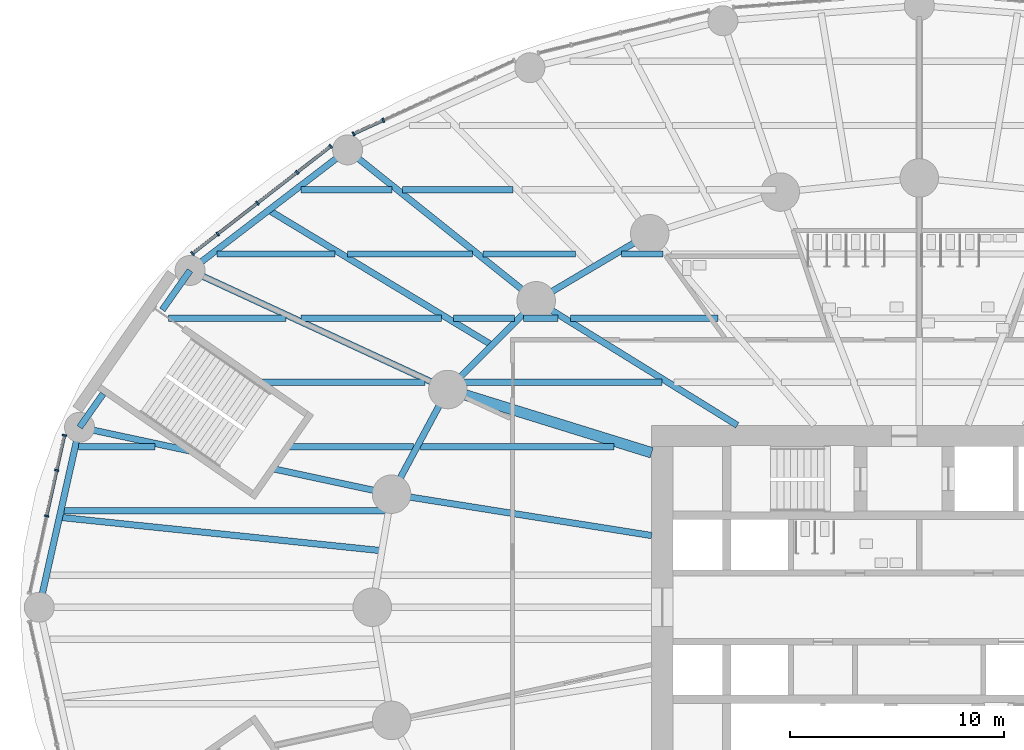
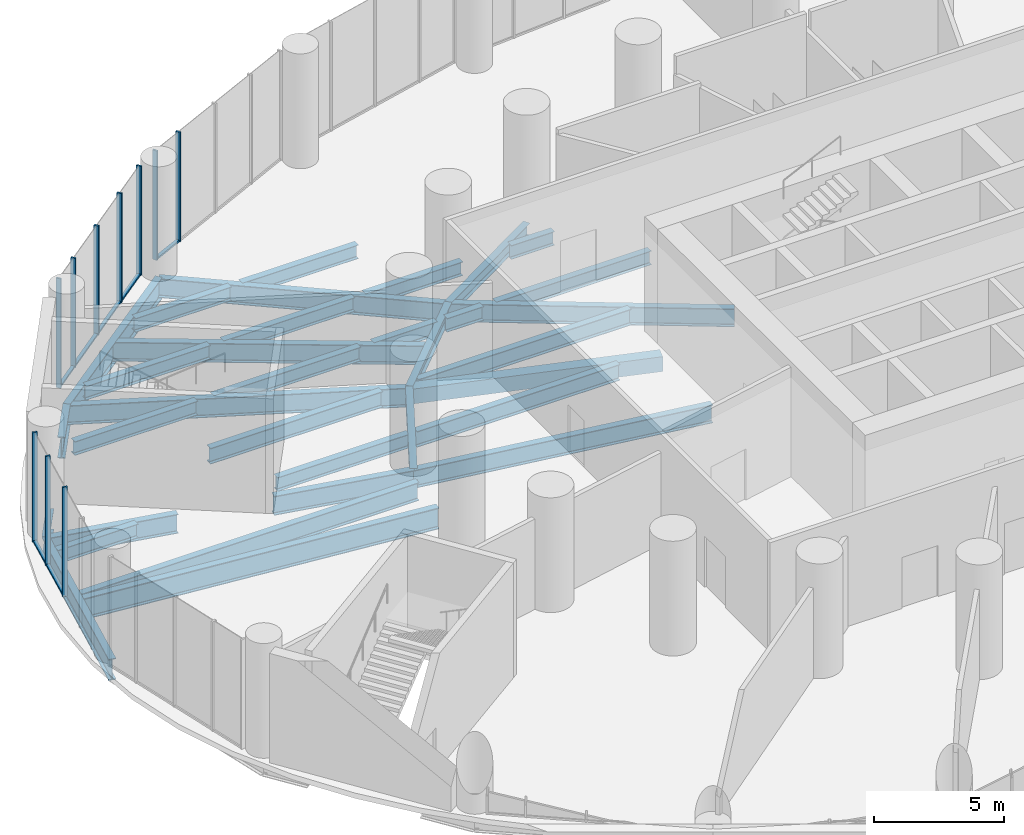
# One storey, part 7 of 21: 33 beams, 17 members, 3 elements without a shape of their own.
"""IFC4 building model written with IfcOpenShell, lengths in metres."""

from ifc_helpers import new_model, si_unit, direction, frame, origin, origin_2d, place, context, subcontext, project, spatial, rectangle, hollow_rectangle, i_section, extrude, material, material_profile, profile_set, type_object, element, aggregate, save


model = new_model("IFC4")

# Units and contexts
model_context = context("Model", 3, precision=1e-05, world=origin(), true_north=direction((0.0, 1.0)))
body_context = subcontext(model_context, "Body", "Model", "MODEL_VIEW")
ifc_project = project(units=[si_unit("LENGTHUNIT", "METRE"), si_unit("AREAUNIT", "SQUARE_METRE"), si_unit("VOLUMEUNIT", "CUBIC_METRE"), si_unit("PLANEANGLEUNIT", "RADIAN"), si_unit("MASSUNIT", "GRAM", prefix="KILO")], contexts=[model_context])

# Site, building, storey
site_placement = place(None, origin())
site = spatial("IfcSite", under=ifc_project, at=site_placement, CompositionType="ELEMENT")
building_placement = place(site_placement, origin())
building = spatial("IfcBuilding", under=site, at=building_placement, Name="Hankou Lantern Tower", CompositionType="ELEMENT")
storey_placement = place(building_placement, frame((0.0, 0.0, 13.800048828125)))
storey = spatial("IfcBuildingStorey", under=building, at=storey_placement, Name="L02", CompositionType="ELEMENT", Elevation=13.800048828125)

# Beams
ifc_material_1 = material(Name="Steel Q355B", Category="steel")
ifc_material_profile_1 = material_profile(ifc_material_1, i_section(OverallWidth=0.300048828125, OverallDepth=0.587890625, WebThickness=0.011962890625, FlangeThickness=0.02001953125, FilletRadius=0.01806640625, at=origin_2d()), Name="HM588x300x12x20")
ifc_profile_set_1 = profile_set([ifc_material_profile_1], Name="Steel Q355B")
beam_type_1 = type_object("IfcBeamType", Name="EB16 RING BEAM HM588x300x12x20", PredefinedType="SPANDREL", material=ifc_profile_set_1)
beam_1_placement = place(storey_placement, frame((-12.5908203125, 17.446533203125, -0.5439453125), z_axis=(-0.860881533543, -0.508805449268, 0.0), x_axis=(0.508805449268, -0.860881533543, 0.0)))
element("IfcBeam", 1, at=beam_1_placement, inside=storey, type_object=beam_type_1, Name="Ring beam R09-R10 L02", PredefinedType="SPANDREL", context=body_context, shape_type="SweptSolid", body=[
    extrude(i_section(OverallWidth=0.300048828125, OverallDepth=0.587890625, WebThickness=0.011962890625, FlangeThickness=0.02001953125, FilletRadius=0.01806640625, at=origin_2d()), origin(), (0.0, 0.0, 1.0), 6.15771484375),
])
beam_2_placement = place(storey_placement, frame((-17.891845703125, 14.3134765625, -0.5439453125), z_axis=(-0.705727798394, -0.708483079949, 0.0), x_axis=(0.708483079949, -0.705727798394, 0.0)))
element("IfcBeam", 2, at=beam_2_placement, inside=storey, type_object=beam_type_1, Name="Ring beam R10-R11 L02", PredefinedType="SPANDREL", context=body_context, shape_type="SweptSolid", body=[
    extrude(i_section(OverallWidth=0.300048828125, OverallDepth=0.587890625, WebThickness=0.011962890625, FlangeThickness=0.02001953125, FilletRadius=0.01806640625, at=origin_2d()), origin(), (0.0, 0.0, 1.0), 5.84814453125),
])
beam_3_placement = place(storey_placement, frame((-22.01904296875, 10.170166015625, -0.5439453125), z_axis=(-0.473609096023, -0.880735161194, 0.0), x_axis=(0.880735161194, -0.473609096023, 0.0)))
element("IfcBeam", 3, at=beam_3_placement, inside=storey, type_object=beam_type_1, Name="Ring beam R11-R12 L02", PredefinedType="SPANDREL", context=body_context, shape_type="SweptSolid", body=[
    extrude(i_section(OverallWidth=0.300048828125, OverallDepth=0.587890625, WebThickness=0.011962890625, FlangeThickness=0.02001953125, FilletRadius=0.01806640625, at=origin_2d()), origin(), (0.0, 0.0, 1.0), 5.548828125),
])

# Curtain wall, members
ifc_material_2 = material(Name="Glass, dark grey tinted laminated", Category="glass")
curtain_wall_type = type_object("IfcCurtainWallType", Name="CWP PODIUM CURTAIN WALL", PredefinedType="USERDEFINED", material=ifc_material_2)
curtain_wall_1_placement = place(storey_placement, origin())
curtain_wall_1 = element("IfcCurtainWall", 4, at=curtain_wall_1_placement, inside=storey, type_object=curtain_wall_type, Name="CWP L02 PC07", ObjectType="PODIUM GLAZING", PredefinedType="USERDEFINED")
ifc_material_3 = material(Name="Aluminium, black anodised", Category="aluminium")
ifc_material_profile_2 = material_profile(ifc_material_3, rectangle(XDim=0.080078125, YDim=0.199951171875, at=origin_2d()), Name="MU2 80X200")
ifc_profile_set_2 = profile_set([ifc_material_profile_2], Name="Aluminium, black anodised")
member_type_1 = type_object("IfcMemberType", Name="MU2 PODIUM MULLION 80X200", PredefinedType="MULLION", material=ifc_profile_set_2)
member_1_placement = place(storey_placement, frame((-25.034423828125, 22.743408203125, 0.0), z_axis=(0.0, 0.0, 1.0), x_axis=(-0.909669790944, -0.41533224224, 0.0)))
member_1 = element("IfcMember", 5, at=member_1_placement, type_object=member_type_1, Name="CWP mullion 4", PredefinedType="MULLION", context=body_context, shape_type="SweptSolid", body=[
    extrude(rectangle(XDim=0.080078125, YDim=0.199951171875, at=origin_2d()), origin(), (0.0, 0.0, 1.0), 5.14990234375),
])
member_2_placement = place(storey_placement, frame((-26.421630859375, 22.10986328125, 0.0), z_axis=(0.0, 0.0, 1.0), x_axis=(-0.909669790944, -0.41533224224, 0.0)))
member_2 = element("IfcMember", 6, at=member_2_placement, type_object=member_type_1, Name="CWP mullion 5", PredefinedType="MULLION", context=body_context, shape_type="SweptSolid", body=[
    extrude(rectangle(XDim=0.080078125, YDim=0.199951171875, at=origin_2d()), origin(), (0.0, 0.0, 1.0), 5.14990234375),
])

curtain_wall_2_placement = place(storey_placement, origin())
curtain_wall_2 = element("IfcCurtainWall", 7, at=curtain_wall_2_placement, inside=storey, type_object=curtain_wall_type, Name="CWP L02 PC08", ObjectType="PODIUM GLAZING", PredefinedType="USERDEFINED")
member_3_placement = place(storey_placement, frame((-27.487060546875, 21.530517578125, 0.0), z_axis=(0.0, 0.0, 1.0), x_axis=(-0.790129760642, -0.612939606608, 0.0)))
member_3 = element("IfcMember", 8, at=member_3_placement, type_object=member_type_1, Name="CWP mullion 1", PredefinedType="MULLION", context=body_context, shape_type="SweptSolid", body=[
    extrude(rectangle(XDim=0.080078125, YDim=0.199951171875, at=origin_2d()), origin(), (0.0, 0.0, 1.0), 5.14990234375),
])
member_4_placement = place(storey_placement, frame((-29.05322265625, 20.315673828125, 0.0), z_axis=(0.0, 0.0, 1.0), x_axis=(-0.790129760642, -0.612939606608, 0.0)))
member_4 = element("IfcMember", 9, at=member_4_placement, type_object=member_type_1, Name="CWP mullion 2", PredefinedType="MULLION", context=body_context, shape_type="SweptSolid", body=[
    extrude(rectangle(XDim=0.080078125, YDim=0.199951171875, at=origin_2d()), origin(), (0.0, 0.0, 1.0), 5.14990234375),
])
member_5_placement = place(storey_placement, frame((-30.91064453125, 18.874755859375, 0.0), z_axis=(0.0, 0.0, 1.0), x_axis=(-0.790129760642, -0.612939606608, 0.0)))
member_5 = element("IfcMember", 10, at=member_5_placement, type_object=member_type_1, Name="CWP mullion 3", PredefinedType="MULLION", context=body_context, shape_type="SweptSolid", body=[
    extrude(rectangle(XDim=0.080078125, YDim=0.199951171875, at=origin_2d()), origin(), (0.0, 0.0, 1.0), 5.14990234375),
])
member_6_placement = place(storey_placement, frame((-32.76806640625, 17.433837890625, 0.0), z_axis=(0.0, 0.0, 1.0), x_axis=(-0.790129760642, -0.612939606608, 0.0)))
member_6 = element("IfcMember", 11, at=member_6_placement, type_object=member_type_1, Name="CWP mullion 4", PredefinedType="MULLION", context=body_context, shape_type="SweptSolid", body=[
    extrude(rectangle(XDim=0.080078125, YDim=0.199951171875, at=origin_2d()), origin(), (0.0, 0.0, 1.0), 5.14990234375),
])
member_7_placement = place(storey_placement, frame((-33.945068359375, 16.520751953125, 0.0), z_axis=(0.0, 0.0, 1.0), x_axis=(-0.790129760642, -0.612939606608, 0.0)))
member_7 = element("IfcMember", 12, at=member_7_placement, type_object=member_type_1, Name="CWP mullion 5", PredefinedType="MULLION", context=body_context, shape_type="SweptSolid", body=[
    extrude(rectangle(XDim=0.080078125, YDim=0.199951171875, at=origin_2d()), origin(), (0.0, 0.0, 1.0), 5.14990234375),
])

curtain_wall_3_placement = place(storey_placement, origin())
curtain_wall_3 = element("IfcCurtainWall", 13, at=curtain_wall_3_placement, inside=storey, type_object=curtain_wall_type, Name="CWP L02 PC09", ObjectType="PODIUM GLAZING", PredefinedType="USERDEFINED")
member_8_placement = place(storey_placement, frame((-39.925537109375, 8.028564453125, 0.0), z_axis=(0.0, 0.0, 1.0), x_axis=(-0.215821488116, -0.976432837049, 0.0)))
member_8 = element("IfcMember", 14, at=member_8_placement, type_object=member_type_1, Name="CWP mullion 1", PredefinedType="MULLION", context=body_context, shape_type="SweptSolid", body=[
    extrude(rectangle(XDim=0.080078125, YDim=0.199951171875, at=origin_2d()), origin(), (0.0, 0.0, 1.0), 5.14990234375),
])
member_9_placement = place(storey_placement, frame((-40.28515625, 6.40087890625, 0.0), z_axis=(0.0, 0.0, 1.0), x_axis=(-0.215821488116, -0.976432837049, 0.0)))
member_9 = element("IfcMember", 15, at=member_9_placement, type_object=member_type_1, Name="CWP mullion 2", PredefinedType="MULLION", context=body_context, shape_type="SweptSolid", body=[
    extrude(rectangle(XDim=0.080078125, YDim=0.199951171875, at=origin_2d()), origin(), (0.0, 0.0, 1.0), 5.14990234375),
])
member_10_placement = place(storey_placement, frame((-40.7568359375, 4.267333984375, 0.0), z_axis=(0.0, 0.0, 1.0), x_axis=(-0.215821488116, -0.976432837049, 0.0)))
member_10 = element("IfcMember", 16, at=member_10_placement, type_object=member_type_1, Name="CWP mullion 3", PredefinedType="MULLION", context=body_context, shape_type="SweptSolid", body=[
    extrude(rectangle(XDim=0.080078125, YDim=0.199951171875, at=origin_2d()), origin(), (0.0, 0.0, 1.0), 5.14990234375),
])

# Beams
ifc_material_4 = material(Name="Steel Q355B", Category="steel")
ifc_material_profile_3 = material_profile(ifc_material_4, i_section(OverallWidth=0.300048828125, OverallDepth=0.89990234375, WebThickness=0.01611328125, FlangeThickness=0.028076171875, FilletRadius=0.01806640625, at=origin_2d()), Name="HN900x300x16x28")
ifc_profile_set_3 = profile_set([ifc_material_profile_3], Name="Steel Q355B")
beam_type_2 = type_object("IfcBeamType", Name="PB13 PODIUM RADIAL BEAM HN900x300x16x28", PredefinedType="BEAM", material=ifc_profile_set_3)
beam_4_placement = place(storey_placement, frame((-17.891845703125, 14.3134765625, -0.699951171875), z_axis=(-0.780875142676, 0.624687130931, 0.0), x_axis=(-0.624687130931, -0.780875142676, 0.0)))
element("IfcBeam", 17, at=beam_4_placement, inside=storey, type_object=beam_type_2, Name="Podium radial beam R10 L02", PredefinedType="BEAM", context=body_context, shape_type="SweptSolid", body=[
    extrude(i_section(OverallWidth=0.300048828125, OverallDepth=0.89990234375, WebThickness=0.01611328125, FlangeThickness=0.028076171875, FilletRadius=0.01806640625, at=origin_2d()), origin(), (0.0, 0.0, 1.0), 11.28271484375),
])
beam_5_placement = place(storey_placement, frame((-22.01904296875, 10.170166015625, -0.699951171875), z_axis=(-0.907840792808, 0.419315030633, 0.0), x_axis=(-0.419315030633, -0.907840792808, 0.0)))
element("IfcBeam", 18, at=beam_5_placement, inside=storey, type_object=beam_type_2, Name="Podium radial beam R11 L02", PredefinedType="BEAM", context=body_context, shape_type="SweptSolid", body=[
    extrude(i_section(OverallWidth=0.300048828125, OverallDepth=0.89990234375, WebThickness=0.01611328125, FlangeThickness=0.028076171875, FilletRadius=0.01806640625, at=origin_2d()), origin(), (0.0, 0.0, 1.0), 13.259765625),
])
beam_6_placement = place(storey_placement, frame((-24.64697265625, 5.283203125, -0.699951171875), z_axis=(-0.977787338777, 0.209599427782, 0.0), x_axis=(-0.209599427782, -0.977787338777, 0.0)))
element("IfcBeam", 19, at=beam_6_placement, inside=storey, type_object=beam_type_2, Name="Podium radial beam R12 L02 inner part", PredefinedType="BEAM", context=body_context, shape_type="SweptSolid", body=[
    extrude(i_section(OverallWidth=0.300048828125, OverallDepth=0.89990234375, WebThickness=0.01611328125, FlangeThickness=0.028076171875, FilletRadius=0.01806640625, at=origin_2d()), origin(), (0.0, 0.0, 1.0), 5.68896484375),
])
beam_7_placement = place(storey_placement, frame((-34.01025390625, 7.29052734375, -0.699951171875), z_axis=(-0.977788323488, 0.209594834028, 0.0), x_axis=(-0.209594834028, -0.977788323488, 0.0)))
element("IfcBeam", 20, at=beam_7_placement, inside=storey, type_object=beam_type_2, Name="Podium radial beam R12 L02 outer part", PredefinedType="BEAM", context=body_context, shape_type="SweptSolid", body=[
    extrude(i_section(OverallWidth=0.300048828125, OverallDepth=0.89990234375, WebThickness=0.01611328125, FlangeThickness=0.028076171875, FilletRadius=0.01806640625, at=origin_2d()), origin(), (0.0, 0.0, 1.0), 5.32568359375),
])
ifc_material_5 = material(Name="Steel Q355B", Category="steel")
ifc_material_profile_4 = material_profile(ifc_material_5, i_section(OverallWidth=0.300048828125, OverallDepth=1.0, WebThickness=0.01904296875, FlangeThickness=0.035888671875, FilletRadius=0.01806640625, at=origin_2d()), Name="HN1000x300x19x36")
ifc_profile_set_4 = profile_set([ifc_material_profile_4], Name="Steel Q355B")
beam_type_3 = type_object("IfcBeamType", Name="PR22 PODIUM RING BEAM HN1000x300x19x36", PredefinedType="BEAM", material=ifc_profile_set_4)
beam_8_placement = place(storey_placement, frame((-26.7021484375, 21.361572265625, -0.75), z_axis=(-0.793985875103, -0.607936205647, 0.0), x_axis=(0.607936205647, -0.793985875103, 0.0)))
element("IfcBeam", 21, at=beam_8_placement, inside=storey, type_object=beam_type_3, Name="Podium ring beam R10-R11 L02", PredefinedType="BEAM", context=body_context, shape_type="SweptSolid", body=[
    extrude(i_section(OverallWidth=0.300048828125, OverallDepth=1.0, WebThickness=0.01904296875, FlangeThickness=0.035888671875, FilletRadius=0.01806640625, at=origin_2d()), origin(), (0.0, 0.0, 1.0), 9.262939453125),
])
beam_9_placement = place(storey_placement, frame((-34.056884765625, 15.730224609375, -0.75), z_axis=(-0.576006222853, -0.817445307794, 0.0), x_axis=(0.817445307794, -0.576006222853, 0.0)))
element("IfcBeam", 22, at=beam_9_placement, inside=storey, type_object=beam_type_3, Name="Podium ring beam R11-R12 L02 west part", PredefinedType="BEAM", context=body_context, shape_type="SweptSolid", body=[
    extrude(i_section(OverallWidth=0.300048828125, OverallDepth=1.0, WebThickness=0.01904296875, FlangeThickness=0.035888671875, FilletRadius=0.01806640625, at=origin_2d()), origin(), (0.0, 0.0, 1.0), 2.251953125),
])
beam_10_placement = place(storey_placement, frame((-38.118896484375, 9.9658203125, -0.75), z_axis=(-0.576019631526, -0.817435859317, 0.0), x_axis=(0.817435859317, -0.576019631526, 0.0)))
element("IfcBeam", 23, at=beam_10_placement, inside=storey, type_object=beam_type_3, Name="Podium ring beam R11-R12 L02 east part", PredefinedType="BEAM", context=body_context, shape_type="SweptSolid", body=[
    extrude(i_section(OverallWidth=0.300048828125, OverallDepth=1.0, WebThickness=0.01904296875, FlangeThickness=0.035888671875, FilletRadius=0.01806640625, at=origin_2d()), origin(), (0.0, 0.0, 1.0), 1.9072265625),
])
beam_11_placement = place(storey_placement, frame((-39.217529296875, 8.40673828125, -0.75), z_axis=(-0.218523498172, -0.975831686689, 0.0), x_axis=(0.975831686689, -0.218523498172, 0.0)))
element("IfcBeam", 24, at=beam_11_placement, inside=storey, type_object=beam_type_3, Name="Podium ring beam R12-R13 L02", PredefinedType="BEAM", context=body_context, shape_type="SweptSolid", body=[
    extrude(i_section(OverallWidth=0.300048828125, OverallDepth=1.0, WebThickness=0.01904296875, FlangeThickness=0.035888671875, FilletRadius=0.01806640625, at=origin_2d()), origin(), (0.0, 0.0, 1.0), 8.614990234375),
])
ifc_material_6 = material(Name="Steel Q355B", Category="steel")
ifc_material_profile_5 = material_profile(ifc_material_6, i_section(OverallWidth=0.300048828125, OverallDepth=0.89990234375, WebThickness=0.01611328125, FlangeThickness=0.028076171875, FilletRadius=0.01806640625, at=origin_2d()), Name="HN900x300x16x28")
ifc_profile_set_5 = profile_set([ifc_material_profile_5], Name="Steel Q355B")
beam_type_4 = type_object("IfcBeamType", Name="PS13 PODIUM SECONDARY BEAM HN900x300x16x28", PredefinedType="JOIST", material=ifc_profile_set_5)
beam_12_placement = place(storey_placement, frame((-19.955322265625, 12.24169921875, -0.699951171875), z_axis=(-0.855685755165, 0.517495785884, 0.0), x_axis=(-0.517495785884, -0.855685755165, 0.0)))
element("IfcBeam", 25, at=beam_12_placement, inside=storey, type_object=beam_type_4, Name="Podium secondary beam bay R10 L02", PredefinedType="JOIST", context=body_context, shape_type="SweptSolid", body=[
    extrude(i_section(OverallWidth=0.300048828125, OverallDepth=0.89990234375, WebThickness=0.01611328125, FlangeThickness=0.028076171875, FilletRadius=0.01806640625, at=origin_2d()), origin(), (0.0, 0.0, 1.0), 12.18212890625),
])
ifc_material_7 = material(Name="Steel Q355B", Category="steel")
ifc_material_profile_6 = material_profile(ifc_material_7, i_section(OverallWidth=0.300048828125, OverallDepth=1.0, WebThickness=0.01904296875, FlangeThickness=0.035888671875, FilletRadius=0.01806640625, at=origin_2d()), Name="HN1000x300x19x36")
ifc_profile_set_6 = profile_set([ifc_material_profile_6], Name="Steel Q355B")
beam_type_5 = type_object("IfcBeamType", Name="PS22 PODIUM SECONDARY BEAM HN1000x300x19x36", PredefinedType="JOIST", material=ifc_profile_set_6)
beam_13_placement = place(storey_placement, frame((-25.098388671875, 2.6416015625, -0.75), z_axis=(-0.994666039581, 0.103147805132, 0.0), x_axis=(-0.103147805132, -0.994666039581, 0.0)))
element("IfcBeam", 26, at=beam_13_placement, inside=storey, type_object=beam_type_5, Name="Podium secondary beam bay R12 L02", PredefinedType="JOIST", context=body_context, shape_type="SweptSolid", body=[
    extrude(i_section(OverallWidth=0.300048828125, OverallDepth=1.0, WebThickness=0.01904296875, FlangeThickness=0.035888671875, FilletRadius=0.01806640625, at=origin_2d()), origin(), (0.0, 0.0, 1.0), 15.14111328125),
])
ifc_material_8 = material(Name="Steel Q355B", Category="steel")
ifc_material_profile_7 = material_profile(ifc_material_8, i_section(OverallWidth=0.300048828125, OverallDepth=0.85009765625, WebThickness=0.01611328125, FlangeThickness=0.027099609375, FilletRadius=0.01806640625, at=origin_2d()), Name="HN850x300x16x27")
ifc_profile_set_7 = profile_set([ifc_material_profile_7], Name="Steel Q355B")
beam_type_6 = type_object("IfcBeamType", Name="RB12 RADIAL BEAM HN850x300x16x27", PredefinedType="BEAM", material=ifc_profile_set_7)
beam_14_placement = place(storey_placement, frame((-8.5, 8.5, -0.675048828125), z_axis=(-0.850286343288, 0.526320372414, 0.0), x_axis=(-0.526320372414, -0.850286343288, 0.0)))
element("IfcBeam", 27, at=beam_14_placement, inside=storey, type_object=beam_type_6, Name="Radial beam R10 L02", PredefinedType="BEAM", context=body_context, shape_type="SweptSolid", body=[
    extrude(i_section(OverallWidth=0.300048828125, OverallDepth=0.85009765625, WebThickness=0.01611328125, FlangeThickness=0.027099609375, FilletRadius=0.01806640625, at=origin_2d()), origin(), (0.0, 0.0, 1.0), 11.04541015625),
])
beam_15_placement = place(storey_placement, frame((-12.5, 3.349365234375, -0.675048828125), z_axis=(-0.987563081343, 0.157223281893, 0.0), x_axis=(-0.157223281893, -0.987563081343, 0.0)))
element("IfcBeam", 28, at=beam_15_placement, inside=storey, type_object=beam_type_6, Name="Radial beam R12 L02", PredefinedType="BEAM", context=body_context, shape_type="SweptSolid", body=[
    extrude(i_section(OverallWidth=0.300048828125, OverallDepth=0.85009765625, WebThickness=0.01611328125, FlangeThickness=0.027099609375, FilletRadius=0.01806640625, at=origin_2d()), origin(), (0.0, 0.0, 1.0), 12.300048828125),
])
ifc_material_9 = material(Name="Steel Q355B", Category="steel")
ifc_material_profile_8 = material_profile(ifc_material_9, hollow_rectangle(XDim=0.5, YDim=0.699951171875, WallThickness=0.0400390625, at=origin_2d()), Name="BOX700x500x40")
ifc_profile_set_8 = profile_set([ifc_material_profile_8], Name="Steel Q355B")
beam_type_7 = type_object("IfcBeamType", Name="RB25 RADIAL BEAM BOX700x500x40", PredefinedType="BEAM", material=ifc_profile_set_8)
beam_16_placement = place(storey_placement, frame((-12.5, 7.216796875, -0.60009765625), z_axis=(-0.955087327755, 0.29632447817, 0.0), x_axis=(-0.29632447817, -0.955087327755, 0.0)))
element("IfcBeam", 29, at=beam_16_placement, inside=storey, type_object=beam_type_7, Name="Radial beam R11 L02", PredefinedType="BEAM", context=body_context, shape_type="SweptSolid", body=[
    extrude(hollow_rectangle(XDim=0.5, YDim=0.699951171875, WallThickness=0.0400390625, at=origin_2d()), origin(), (0.0, 0.0, 1.0), 9.966552734375),
])
ifc_material_10 = material(Name="Steel Q355B", Category="steel")
ifc_material_profile_9 = material_profile(ifc_material_10, i_section(OverallWidth=0.300048828125, OverallDepth=0.75, WebThickness=0.012939453125, FlangeThickness=0.02392578125, FilletRadius=0.01806640625, at=origin_2d()), Name="HN750x300x13x24")
ifc_profile_set_9 = profile_set([ifc_material_profile_9], Name="Steel Q355B")
beam_type_8 = type_object("IfcBeamType", Name="SB10 SECONDARY BEAM HN750x300x13x24", PredefinedType="JOIST", material=ifc_profile_set_9)
beam_17_placement = place(storey_placement, frame((-23.28466796875, 7.5, -0.625), z_axis=(1.0, 0.0, 0.0), x_axis=(0.0, 1.0, 0.0)))
element("IfcBeam", 30, at=beam_17_placement, inside=storey, type_object=beam_type_8, Name="Floor joist J097 L02", PredefinedType="JOIST", context=body_context, shape_type="SweptSolid", body=[
    extrude(i_section(OverallWidth=0.300048828125, OverallDepth=0.75, WebThickness=0.012939453125, FlangeThickness=0.02392578125, FilletRadius=0.01806640625, at=origin_2d()), origin(), (0.0, 0.0, 1.0), 9.0283203125),
])
beam_18_placement = place(storey_placement, frame((-30.743896484375, 10.5, -0.625), z_axis=(1.0, 0.0, 0.0), x_axis=(0.0, 1.0, 0.0)))
element("IfcBeam", 31, at=beam_18_placement, inside=storey, type_object=beam_type_8, Name="Floor joist J101 L02", PredefinedType="JOIST", context=body_context, shape_type="SweptSolid", body=[
    extrude(i_section(OverallWidth=0.300048828125, OverallDepth=0.75, WebThickness=0.012939453125, FlangeThickness=0.02392578125, FilletRadius=0.01806640625, at=origin_2d()), origin(), (0.0, 0.0, 1.0), 7.653076171875),
])
beam_19_placement = place(storey_placement, frame((-21.478759765625, 10.5, -0.625), z_axis=(1.0, 0.0, 0.0), x_axis=(0.0, 1.0, 0.0)))
element("IfcBeam", 32, at=beam_19_placement, inside=storey, type_object=beam_type_8, Name="Floor joist J102 L02", PredefinedType="JOIST", context=body_context, shape_type="SweptSolid", body=[
    extrude(i_section(OverallWidth=0.300048828125, OverallDepth=0.75, WebThickness=0.012939453125, FlangeThickness=0.02392578125, FilletRadius=0.01806640625, at=origin_2d()), origin(), (0.0, 0.0, 1.0), 9.462646484375),
])
ifc_material_11 = material(Name="Steel Q355B", Category="steel")
ifc_material_profile_10 = material_profile(ifc_material_11, i_section(OverallWidth=0.300048828125, OverallDepth=0.85009765625, WebThickness=0.01611328125, FlangeThickness=0.027099609375, FilletRadius=0.01806640625, at=origin_2d()), Name="HN850x300x16x27")
ifc_profile_set_10 = profile_set([ifc_material_profile_10], Name="Steel Q355B")
beam_type_9 = type_object("IfcBeamType", Name="SB12 SECONDARY BEAM HN850x300x16x27", PredefinedType="JOIST", material=ifc_profile_set_10)
beam_20_placement = place(storey_placement, frame((-39.938720703125, 4.5, -0.675048828125), z_axis=(1.0, 0.0, 0.0), x_axis=(0.0, 1.0, 0.0)))
element("IfcBeam", 33, at=beam_20_placement, inside=storey, type_object=beam_type_9, Name="Floor joist J089 L02", PredefinedType="JOIST", context=body_context, shape_type="SweptSolid", body=[
    extrude(i_section(OverallWidth=0.300048828125, OverallDepth=0.85009765625, WebThickness=0.01611328125, FlangeThickness=0.027099609375, FilletRadius=0.01806640625, at=origin_2d()), origin(), (0.0, 0.0, 1.0), 15.005615234375),
])
ifc_material_12 = material(Name="Steel Q355B", Category="steel")
ifc_material_profile_11 = material_profile(ifc_material_12, i_section(OverallWidth=0.300048828125, OverallDepth=0.64990234375, WebThickness=0.010986328125, FlangeThickness=0.01708984375, FilletRadius=0.01806640625, at=origin_2d()), Name="HN650x300x11x17")
ifc_profile_set_11 = profile_set([ifc_material_profile_11], Name="Steel Q355B")
beam_type_10 = type_object("IfcBeamType", Name="SB8 SECONDARY BEAM HN650x300x11x17", PredefinedType="JOIST", material=ifc_profile_set_11)
beam_21_placement = place(storey_placement, frame((-39.266845703125, 7.5, -0.574951171875), z_axis=(1.0, 0.0, 0.0), x_axis=(0.0, 1.0, 0.0)))
element("IfcBeam", 34, at=beam_21_placement, inside=storey, type_object=beam_type_10, Name="Floor joist J095 L02", PredefinedType="JOIST", context=body_context, shape_type="SweptSolid", body=[
    extrude(i_section(OverallWidth=0.300048828125, OverallDepth=0.64990234375, WebThickness=0.010986328125, FlangeThickness=0.01708984375, FilletRadius=0.01806640625, at=origin_2d()), origin(), (0.0, 0.0, 1.0), 3.563232421875),
])
beam_22_placement = place(storey_placement, frame((-29.496826171875, 7.5, -0.574951171875), z_axis=(1.0, 0.0, 0.0), x_axis=(0.0, 1.0, 0.0)))
element("IfcBeam", 35, at=beam_22_placement, inside=storey, type_object=beam_type_10, Name="Floor joist J096 L02", PredefinedType="JOIST", context=body_context, shape_type="SweptSolid", body=[
    extrude(i_section(OverallWidth=0.300048828125, OverallDepth=0.64990234375, WebThickness=0.010986328125, FlangeThickness=0.01708984375, FilletRadius=0.01806640625, at=origin_2d()), origin(), (0.0, 0.0, 1.0), 5.87158203125),
])
beam_23_placement = place(storey_placement, frame((-35.056884765625, 13.5, -0.574951171875), z_axis=(1.0, 0.0, 0.0), x_axis=(0.0, 1.0, 0.0)))
element("IfcBeam", 36, at=beam_23_placement, inside=storey, type_object=beam_type_10, Name="Floor joist J111 L02", PredefinedType="JOIST", context=body_context, shape_type="SweptSolid", body=[
    extrude(i_section(OverallWidth=0.300048828125, OverallDepth=0.64990234375, WebThickness=0.010986328125, FlangeThickness=0.01708984375, FilletRadius=0.01806640625, at=origin_2d()), origin(), (0.0, 0.0, 1.0), 5.470703125),
])
beam_24_placement = place(storey_placement, frame((-28.87060546875, 13.5, -0.574951171875), z_axis=(1.0, 0.0, 0.0), x_axis=(0.0, 1.0, 0.0)))
element("IfcBeam", 37, at=beam_24_placement, inside=storey, type_object=beam_type_10, Name="Floor joist J112 L02", PredefinedType="JOIST", context=body_context, shape_type="SweptSolid", body=[
    extrude(i_section(OverallWidth=0.300048828125, OverallDepth=0.64990234375, WebThickness=0.010986328125, FlangeThickness=0.01708984375, FilletRadius=0.01806640625, at=origin_2d()), origin(), (0.0, 0.0, 1.0), 6.544921875),
])
beam_25_placement = place(storey_placement, frame((-21.74609375, 13.5, -0.574951171875), z_axis=(1.0, 0.0, 0.0), x_axis=(0.0, 1.0, 0.0)))
element("IfcBeam", 38, at=beam_25_placement, inside=storey, type_object=beam_type_10, Name="Floor joist J113 L02", PredefinedType="JOIST", context=body_context, shape_type="SweptSolid", body=[
    extrude(i_section(OverallWidth=0.300048828125, OverallDepth=0.64990234375, WebThickness=0.010986328125, FlangeThickness=0.01708984375, FilletRadius=0.01806640625, at=origin_2d()), origin(), (0.0, 0.0, 1.0), 2.832275390625),
])
beam_26_placement = place(storey_placement, frame((-18.490234375, 13.5, -0.574951171875), z_axis=(1.0, 0.0, 0.0), x_axis=(0.0, 1.0, 0.0)))
element("IfcBeam", 39, at=beam_26_placement, inside=storey, type_object=beam_type_10, Name="Floor joist J114 L02", PredefinedType="JOIST", context=body_context, shape_type="SweptSolid", body=[
    extrude(i_section(OverallWidth=0.300048828125, OverallDepth=0.64990234375, WebThickness=0.010986328125, FlangeThickness=0.01708984375, FilletRadius=0.01806640625, at=origin_2d()), origin(), (0.0, 0.0, 1.0), 1.62744140625),
])
beam_27_placement = place(storey_placement, frame((-16.292724609375, 13.5, -0.574951171875), z_axis=(1.0, 0.0, 0.0), x_axis=(0.0, 1.0, 0.0)))
element("IfcBeam", 40, at=beam_27_placement, inside=storey, type_object=beam_type_10, Name="Floor joist J115 L02", PredefinedType="JOIST", context=body_context, shape_type="SweptSolid", body=[
    extrude(i_section(OverallWidth=0.300048828125, OverallDepth=0.64990234375, WebThickness=0.010986328125, FlangeThickness=0.01708984375, FilletRadius=0.01806640625, at=origin_2d()), origin(), (0.0, 0.0, 1.0), 6.893310546875),
])
beam_28_placement = place(storey_placement, frame((-32.8046875, 16.5, -0.574951171875), z_axis=(1.0, 0.0, 0.0), x_axis=(0.0, 1.0, 0.0)))
element("IfcBeam", 41, at=beam_28_placement, inside=storey, type_object=beam_type_10, Name="Floor joist J125 L02", PredefinedType="JOIST", context=body_context, shape_type="SweptSolid", body=[
    extrude(i_section(OverallWidth=0.300048828125, OverallDepth=0.64990234375, WebThickness=0.010986328125, FlangeThickness=0.01708984375, FilletRadius=0.01806640625, at=origin_2d()), origin(), (0.0, 0.0, 1.0), 5.518310546875),
])
beam_29_placement = place(storey_placement, frame((-26.70654296875, 16.5, -0.574951171875), z_axis=(1.0, 0.0, 0.0), x_axis=(0.0, 1.0, 0.0)))
element("IfcBeam", 42, at=beam_29_placement, inside=storey, type_object=beam_type_10, Name="Floor joist J126 L02", PredefinedType="JOIST", context=body_context, shape_type="SweptSolid", body=[
    extrude(i_section(OverallWidth=0.300048828125, OverallDepth=0.64990234375, WebThickness=0.010986328125, FlangeThickness=0.01708984375, FilletRadius=0.01806640625, at=origin_2d()), origin(), (0.0, 0.0, 1.0), 5.84130859375),
])
beam_30_placement = place(storey_placement, frame((-20.384765625, 16.5, -0.574951171875), z_axis=(1.0, 0.0, 0.0), x_axis=(0.0, 1.0, 0.0)))
element("IfcBeam", 43, at=beam_30_placement, inside=storey, type_object=beam_type_10, Name="Floor joist J127 L02", PredefinedType="JOIST", context=body_context, shape_type="SweptSolid", body=[
    extrude(i_section(OverallWidth=0.300048828125, OverallDepth=0.64990234375, WebThickness=0.010986328125, FlangeThickness=0.01708984375, FilletRadius=0.01806640625, at=origin_2d()), origin(), (0.0, 0.0, 1.0), 4.33056640625),
])
beam_31_placement = place(storey_placement, frame((-13.8974609375, 16.5, -0.574951171875), z_axis=(1.0, 0.0, 0.0), x_axis=(0.0, 1.0, 0.0)))
element("IfcBeam", 44, at=beam_31_placement, inside=storey, type_object=beam_type_10, Name="Floor joist J128 L02", PredefinedType="JOIST", context=body_context, shape_type="SweptSolid", body=[
    extrude(i_section(OverallWidth=0.300048828125, OverallDepth=0.64990234375, WebThickness=0.010986328125, FlangeThickness=0.01708984375, FilletRadius=0.01806640625, at=origin_2d()), origin(), (0.0, 0.0, 1.0), 1.921630859375),
])
beam_32_placement = place(storey_placement, frame((-28.88671875, 19.5, -0.574951171875), z_axis=(1.0, 0.0, 0.0), x_axis=(0.0, 1.0, 0.0)))
element("IfcBeam", 45, at=beam_32_placement, inside=storey, type_object=beam_type_10, Name="Floor joist J137 L02", PredefinedType="JOIST", context=body_context, shape_type="SweptSolid", body=[
    extrude(i_section(OverallWidth=0.300048828125, OverallDepth=0.64990234375, WebThickness=0.010986328125, FlangeThickness=0.01708984375, FilletRadius=0.01806640625, at=origin_2d()), origin(), (0.0, 0.0, 1.0), 4.271484375),
])
beam_33_placement = place(storey_placement, frame((-24.134765625, 19.5, -0.574951171875), z_axis=(1.0, 0.0, 0.0), x_axis=(0.0, 1.0, 0.0)))
element("IfcBeam", 46, at=beam_33_placement, inside=storey, type_object=beam_type_10, Name="Floor joist J138 L02", PredefinedType="JOIST", context=body_context, shape_type="SweptSolid", body=[
    extrude(i_section(OverallWidth=0.300048828125, OverallDepth=0.64990234375, WebThickness=0.010986328125, FlangeThickness=0.01708984375, FilletRadius=0.01806640625, at=origin_2d()), origin(), (0.0, 0.0, 1.0), 5.160888671875),
])

# Member
ifc_material_13 = material(Name="Aluminium, black anodised", Category="aluminium")
ifc_material_profile_12 = material_profile(ifc_material_13, rectangle(XDim=0.14990234375, YDim=0.080078125, at=origin_2d()), Name="TR2 150X80")
ifc_profile_set_12 = profile_set([ifc_material_profile_12], Name="Aluminium, black anodised")
member_type_2 = type_object("IfcMemberType", Name="TR2 PODIUM TRANSOM 150X80", PredefinedType="USERDEFINED", material=ifc_profile_set_12)
member_11_placement = place(storey_placement, frame((-25.07080078125, 22.726806640625, 0.0400390625), z_axis=(-0.909682453266, -0.415304507825, 0.0), x_axis=(0.415304507825, -0.909682453266, 0.0)))
member_11 = element("IfcMember", 47, at=member_11_placement, type_object=member_type_2, Name="CWP transom 4", ObjectType="TRANSOM", PredefinedType="USERDEFINED", context=body_context, shape_type="SweptSolid", body=[
    extrude(rectangle(XDim=0.14990234375, YDim=0.080078125, at=origin_2d()), origin(), (0.0, 0.0, 1.0), 1.445068359375),
])

aggregate(curtain_wall_1, [member_1, member_2, member_11])

member_12_placement = place(storey_placement, frame((-27.5185546875, 21.506103515625, 0.0400390625), z_axis=(-0.790098015443, -0.612980526601, 0.0), x_axis=(0.612980526601, -0.790098015443, 0.0)))
member_12 = element("IfcMember", 48, at=member_12_placement, type_object=member_type_2, Name="CWP transom 1", ObjectType="TRANSOM", PredefinedType="USERDEFINED", context=body_context, shape_type="SweptSolid", body=[
    extrude(rectangle(XDim=0.14990234375, YDim=0.080078125, at=origin_2d()), origin(), (0.0, 0.0, 1.0), 1.902099609375),
])

member_13_placement = place(storey_placement, frame((-29.084716796875, 20.291015625, 0.0400390625), z_axis=(-0.79016773701, -0.612890648802, 0.0), x_axis=(0.612890648802, -0.79016773701, 0.0)))
member_13 = element("IfcMember", 49, at=member_13_placement, type_object=member_type_2, Name="CWP transom 2", ObjectType="TRANSOM", PredefinedType="USERDEFINED", context=body_context, shape_type="SweptSolid", body=[
    extrude(rectangle(XDim=0.14990234375, YDim=0.080078125, at=origin_2d()), origin(), (0.0, 0.0, 1.0), 2.27099609375),
])

member_14_placement = place(storey_placement, frame((-30.942138671875, 18.85009765625, 0.0400390625), z_axis=(-0.79016773701, -0.612890648802, 0.0), x_axis=(0.612890648802, -0.79016773701, 0.0)))
member_14 = element("IfcMember", 50, at=member_14_placement, type_object=member_type_2, Name="CWP transom 3", ObjectType="TRANSOM", PredefinedType="USERDEFINED", context=body_context, shape_type="SweptSolid", body=[
    extrude(rectangle(XDim=0.14990234375, YDim=0.080078125, at=origin_2d()), origin(), (0.0, 0.0, 1.0), 2.27099609375),
])

member_15_placement = place(storey_placement, frame((-32.7998046875, 17.4091796875, 0.0400390625), z_axis=(-0.790144462034, -0.612920654829, 0.0), x_axis=(0.612920654829, -0.790144462034, 0.0)))
member_15 = element("IfcMember", 51, at=member_15_placement, type_object=member_type_2, Name="CWP transom 4", ObjectType="TRANSOM", PredefinedType="USERDEFINED", context=body_context, shape_type="SweptSolid", body=[
    extrude(rectangle(XDim=0.14990234375, YDim=0.080078125, at=origin_2d()), origin(), (0.0, 0.0, 1.0), 1.4091796875),
])

aggregate(curtain_wall_2, [member_3, member_4, member_5, member_6, member_7, member_12, member_13, member_14, member_15])

member_16_placement = place(storey_placement, frame((-39.93408203125, 7.989501953125, 0.0400390625), z_axis=(-0.215838955929, -0.976428975965, 0.0), x_axis=(0.976428975965, -0.215838955929, 0.0)))
member_16 = element("IfcMember", 52, at=member_16_placement, type_object=member_type_2, Name="CWP transom 1", ObjectType="TRANSOM", PredefinedType="USERDEFINED", context=body_context, shape_type="SweptSolid", body=[
    extrude(rectangle(XDim=0.14990234375, YDim=0.080078125, at=origin_2d()), origin(), (0.0, 0.0, 1.0), 1.5869140625),
])

member_17_placement = place(storey_placement, frame((-40.2939453125, 6.36181640625, 0.0400390625), z_axis=(-0.215812948044, -0.976434724627, 0.0), x_axis=(0.976434724627, -0.215812948044, 0.0)))
member_17 = element("IfcMember", 53, at=member_17_placement, type_object=member_type_2, Name="CWP transom 2", ObjectType="TRANSOM", PredefinedType="USERDEFINED", context=body_context, shape_type="SweptSolid", body=[
    extrude(rectangle(XDim=0.14990234375, YDim=0.080078125, at=origin_2d()), origin(), (0.0, 0.0, 1.0), 2.105224609375),
])

aggregate(curtain_wall_3, [member_8, member_9, member_10, member_16, member_17])

save(model, "model.ifc")
